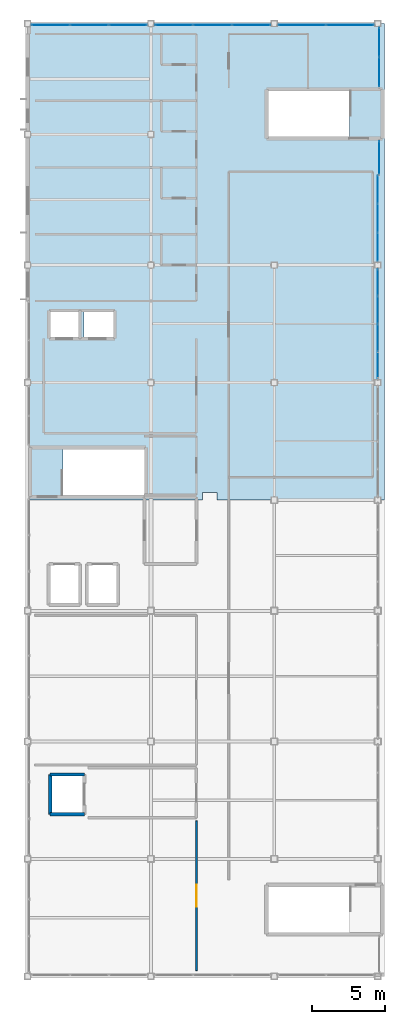
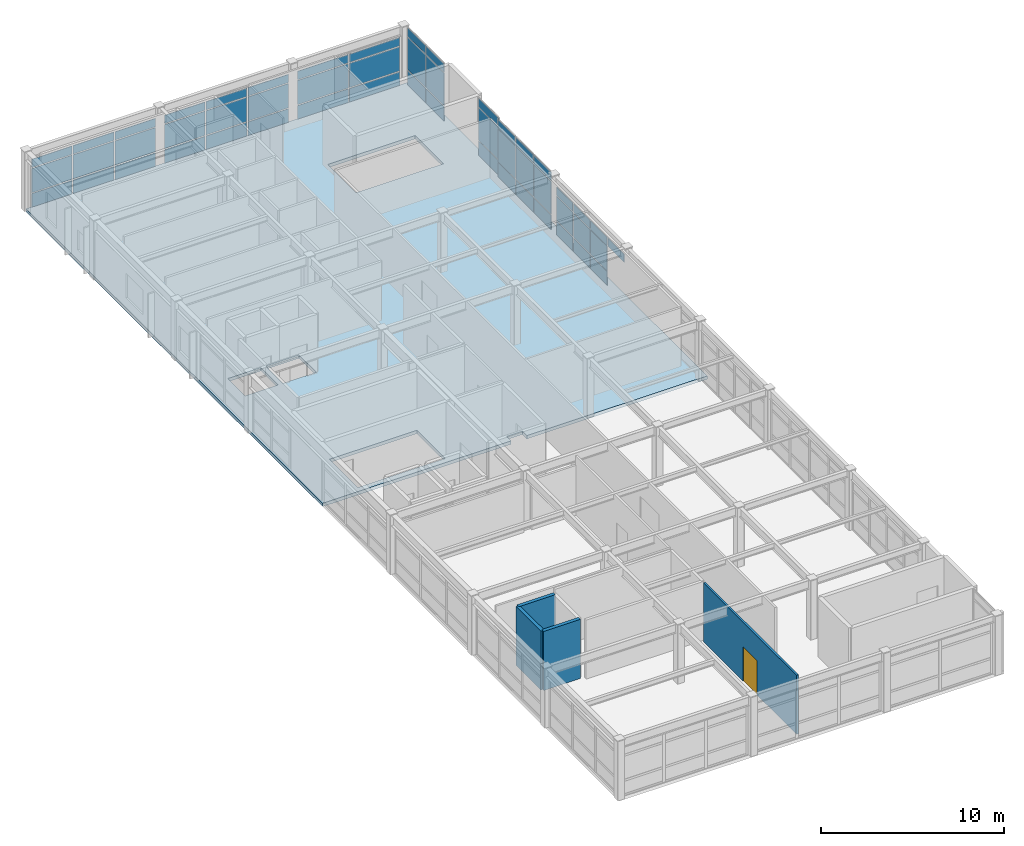
# One storey, part 30 of 34: 52 plates, 4 walls, 1 door, 1 slab, 1 opening, 7 elements without a shape of their own.
"""IFC4 building model written with IfcOpenShell, lengths in metres."""

from ifc_helpers import new_model, si_unit, direction, frame, frame_2d, origin, origin_2d, place, context, subcontext, project, spatial, polyline, rectangle, outline, extrude, material, layer, layer_set, type_object, element, fill, aggregate, save


model = new_model("IFC4")

# Units and contexts
model_context = context("Model", 3, precision=1e-05, world=origin(), true_north=direction((0.0, 1.0)))
body_context = subcontext(model_context, "Body", "Model", "MODEL_VIEW")
ifc_project = project(units=[si_unit("LENGTHUNIT", "METRE"), si_unit("AREAUNIT", "SQUARE_METRE"), si_unit("VOLUMEUNIT", "CUBIC_METRE"), si_unit("PLANEANGLEUNIT", "RADIAN"), si_unit("MASSUNIT", "GRAM", prefix="KILO")], contexts=[model_context])

# Site, building, storey
site_placement = place(None, origin())
site = spatial("IfcSite", under=ifc_project, at=site_placement, CompositionType="ELEMENT")
building_placement = place(site_placement, origin())
building = spatial("IfcBuilding", under=site, at=building_placement, Name="Kazehara Bluff Congress Hotel", CompositionType="ELEMENT")
storey_placement = place(building_placement, frame((0.0, 0.0, 46.199951171875)))
storey = spatial("IfcBuildingStorey", under=building, at=storey_placement, Name="L11", CompositionType="ELEMENT", Elevation=46.199951171875)

# Curtain wall, plates
ifc_material_1 = material(Name="Anodised aluminium", Category="aluminium")
ifc_layer_1 = layer(ifc_material_1, 0.159912109375)
ifc_layer_set_1 = layer_set([ifc_layer_1], Name="Anodised aluminium")
curtain_wall_type_1 = type_object("IfcCurtainWallType", Name="TP-CW-84", PredefinedType="NOTDEFINED", material=ifc_layer_set_1)
curtain_wall_1_placement = place(storey_placement, origin())
curtain_wall_1 = element("IfcCurtainWall", 1, at=curtain_wall_1_placement, inside=storey, type_object=curtain_wall_type_1, Name="L11 curtain wall CW-84 CW-V5-L11-X16755-5668", PredefinedType="NOTDEFINED")
ifc_material_2 = material(Name="Insulated low-E double glazing", Category="glass")
ifc_layer_2 = layer(ifc_material_2, 0.028076171875)
ifc_layer_set_2 = layer_set([ifc_layer_2], Name="Insulated low-E double glazing")
plate_type_1 = type_object("IfcPlateType", Name="TP-CWP-01", PredefinedType="CURTAIN_PANEL", material=ifc_layer_set_2)
plate_1_placement = place(storey_placement, frame((167.550048828125, 57.635009765625, 2.70751953125), z_axis=(0.0, 0.0, 1.0), x_axis=(0.0, 1.0, 0.0)))
plate_1 = element("IfcPlate", 2, at=plate_1_placement, type_object=plate_type_1, Name="CW-84 panel 1.3", PredefinedType="CURTAIN_PANEL", context=body_context, shape_type="SweptSolid", body=[
    extrude(rectangle(XDim=1.7900390625, YDim=0.028076171875, at=origin_2d()), origin(), (0.0, 0.0, 1.0), 0.552490234375),
])
plate_2_placement = place(storey_placement, frame((167.550048828125, 59.50634765625, 0.06494140625), z_axis=(0.0, 0.0, 1.0), x_axis=(0.0, 1.0, 0.0)))
plate_2 = element("IfcPlate", 3, at=plate_2_placement, type_object=plate_type_1, Name="CW-84 panel 2.1", PredefinedType="CURTAIN_PANEL", context=body_context, shape_type="SweptSolid", body=[
    extrude(rectangle(XDim=1.822509765625, YDim=0.028076171875, at=origin_2d()), origin(), (0.0, 0.0, 1.0), 0.902587890625),
])
plate_3_placement = place(storey_placement, frame((167.550048828125, 59.50634765625, 1.03271484375), z_axis=(0.0, 0.0, 1.0), x_axis=(0.0, 1.0, 0.0)))
plate_3 = element("IfcPlate", 4, at=plate_3_placement, type_object=plate_type_1, Name="CW-84 panel 2.2", PredefinedType="CURTAIN_PANEL", context=body_context, shape_type="SweptSolid", body=[
    extrude(rectangle(XDim=1.822509765625, YDim=0.028076171875, at=origin_2d()), origin(), (0.0, 0.0, 1.0), 1.610107421875),
])
plate_4_placement = place(storey_placement, frame((167.550048828125, 59.50634765625, 2.70751953125), z_axis=(0.0, 0.0, 1.0), x_axis=(0.0, 1.0, 0.0)))
plate_4 = element("IfcPlate", 5, at=plate_4_placement, type_object=plate_type_1, Name="CW-84 panel 2.3", PredefinedType="CURTAIN_PANEL", context=body_context, shape_type="SweptSolid", body=[
    extrude(rectangle(XDim=1.822509765625, YDim=0.028076171875, at=origin_2d()), origin(), (0.0, 0.0, 1.0), 0.552490234375),
])
plate_5_placement = place(storey_placement, frame((167.550048828125, 61.393798828125, 0.06494140625), z_axis=(0.0, 0.0, 1.0), x_axis=(0.0, 1.0, 0.0)))
plate_5 = element("IfcPlate", 6, at=plate_5_placement, type_object=plate_type_1, Name="CW-84 panel 3.1", PredefinedType="CURTAIN_PANEL", context=body_context, shape_type="SweptSolid", body=[
    extrude(rectangle(XDim=1.822509765625, YDim=0.028076171875, at=origin_2d()), origin(), (0.0, 0.0, 1.0), 0.902587890625),
])
plate_6_placement = place(storey_placement, frame((167.550048828125, 61.393798828125, 1.03271484375), z_axis=(0.0, 0.0, 1.0), x_axis=(0.0, 1.0, 0.0)))
plate_6 = element("IfcPlate", 7, at=plate_6_placement, type_object=plate_type_1, Name="CW-84 panel 3.2", PredefinedType="CURTAIN_PANEL", context=body_context, shape_type="SweptSolid", body=[
    extrude(rectangle(XDim=1.822509765625, YDim=0.028076171875, at=origin_2d()), origin(), (0.0, 0.0, 1.0), 1.610107421875),
])
plate_7_placement = place(storey_placement, frame((167.550048828125, 61.393798828125, 2.70751953125), z_axis=(0.0, 0.0, 1.0), x_axis=(0.0, 1.0, 0.0)))
plate_7 = element("IfcPlate", 8, at=plate_7_placement, type_object=plate_type_1, Name="CW-84 panel 3.3", PredefinedType="CURTAIN_PANEL", context=body_context, shape_type="SweptSolid", body=[
    extrude(rectangle(XDim=1.822509765625, YDim=0.028076171875, at=origin_2d()), origin(), (0.0, 0.0, 1.0), 0.552490234375),
])
plate_8_placement = place(storey_placement, frame((167.550048828125, 63.264892578125, 0.06494140625), z_axis=(0.0, 0.0, 1.0), x_axis=(0.0, 1.0, 0.0)))
plate_8 = element("IfcPlate", 9, at=plate_8_placement, type_object=plate_type_1, Name="CW-84 panel 4.1", PredefinedType="CURTAIN_PANEL", context=body_context, shape_type="SweptSolid", body=[
    extrude(rectangle(XDim=1.7900390625, YDim=0.028076171875, at=origin_2d()), origin(), (0.0, 0.0, 1.0), 0.902587890625),
])
plate_9_placement = place(storey_placement, frame((167.550048828125, 63.264892578125, 1.03271484375), z_axis=(0.0, 0.0, 1.0), x_axis=(0.0, 1.0, 0.0)))
plate_9 = element("IfcPlate", 10, at=plate_9_placement, type_object=plate_type_1, Name="CW-84 panel 4.2", PredefinedType="CURTAIN_PANEL", context=body_context, shape_type="SweptSolid", body=[
    extrude(rectangle(XDim=1.7900390625, YDim=0.028076171875, at=origin_2d()), origin(), (0.0, 0.0, 1.0), 1.610107421875),
])
plate_10_placement = place(storey_placement, frame((167.550048828125, 63.264892578125, 2.70751953125), z_axis=(0.0, 0.0, 1.0), x_axis=(0.0, 1.0, 0.0)))
plate_10 = element("IfcPlate", 11, at=plate_10_placement, type_object=plate_type_1, Name="CW-84 panel 4.3", PredefinedType="CURTAIN_PANEL", context=body_context, shape_type="SweptSolid", body=[
    extrude(rectangle(XDim=1.7900390625, YDim=0.028076171875, at=origin_2d()), origin(), (0.0, 0.0, 1.0), 0.552490234375),
])
aggregate(curtain_wall_1, [plate_1, plate_2, plate_3, plate_4, plate_5, plate_6, plate_7, plate_8, plate_9, plate_10])

ifc_material_3 = material(Name="Anodised aluminium", Category="aluminium")
ifc_layer_3 = layer(ifc_material_3, 0.159912109375)
ifc_layer_set_3 = layer_set([ifc_layer_3], Name="Anodised aluminium")
curtain_wall_type_2 = type_object("IfcCurtainWallType", Name="TP-CW-87", PredefinedType="NOTDEFINED", material=ifc_layer_set_3)
curtain_wall_2_placement = place(storey_placement, origin())
curtain_wall_2 = element("IfcCurtainWall", 12, at=curtain_wall_2_placement, inside=storey, type_object=curtain_wall_type_2, Name="L11 curtain wall CW-87 CW-V5-L11-X16755-6468", PredefinedType="NOTDEFINED")
plate_11_placement = place(storey_placement, frame((167.550048828125, 65.677490234375, 0.06005859375), z_axis=(0.0, 0.0, 1.0), x_axis=(0.0, 1.0, 0.0)))
plate_11 = element("IfcPlate", 13, at=plate_11_placement, type_object=plate_type_1, Name="CW-87 panel 1.1", PredefinedType="CURTAIN_PANEL", context=body_context, shape_type="SweptSolid", body=[
    extrude(rectangle(XDim=1.885009765625, YDim=0.028076171875, at=origin_2d()), origin(), (0.0, 0.0, 1.0), 0.9599609375),
])
plate_12_placement = place(storey_placement, frame((167.550048828125, 65.677490234375, 1.080078125), z_axis=(0.0, 0.0, 1.0), x_axis=(0.0, 1.0, 0.0)))
plate_12 = element("IfcPlate", 14, at=plate_12_placement, type_object=plate_type_1, Name="CW-87 panel 1.2", PredefinedType="CURTAIN_PANEL", context=body_context, shape_type="SweptSolid", body=[
    extrude(rectangle(XDim=1.885009765625, YDim=0.028076171875, at=origin_2d()), origin(), (0.0, 0.0, 1.0), 2.175048828125),
])
plate_13_placement = place(storey_placement, frame((167.550048828125, 65.677490234375, 3.31494140625), z_axis=(0.0, 0.0, 1.0), x_axis=(0.0, 1.0, 0.0)))
plate_13 = element("IfcPlate", 15, at=plate_13_placement, type_object=plate_type_1, Name="CW-87 panel 1.3", PredefinedType="CURTAIN_PANEL", context=body_context, shape_type="SweptSolid", body=[
    extrude(rectangle(XDim=1.885009765625, YDim=0.028076171875, at=origin_2d()), origin(), (0.0, 0.0, 1.0), 0.56005859375),
])
plate_14_placement = place(storey_placement, frame((167.550048828125, 67.637451171875, 0.06005859375), z_axis=(0.0, 0.0, 1.0), x_axis=(0.0, 1.0, 0.0)))
plate_14 = element("IfcPlate", 16, at=plate_14_placement, type_object=plate_type_1, Name="CW-87 panel 2.1", PredefinedType="CURTAIN_PANEL", context=body_context, shape_type="SweptSolid", body=[
    extrude(rectangle(XDim=1.9150390625, YDim=0.028076171875, at=origin_2d()), origin(), (0.0, 0.0, 1.0), 0.9599609375),
])
plate_15_placement = place(storey_placement, frame((167.550048828125, 67.637451171875, 1.080078125), z_axis=(0.0, 0.0, 1.0), x_axis=(0.0, 1.0, 0.0)))
plate_15 = element("IfcPlate", 17, at=plate_15_placement, type_object=plate_type_1, Name="CW-87 panel 2.2", PredefinedType="CURTAIN_PANEL", context=body_context, shape_type="SweptSolid", body=[
    extrude(rectangle(XDim=1.9150390625, YDim=0.028076171875, at=origin_2d()), origin(), (0.0, 0.0, 1.0), 2.175048828125),
])
plate_16_placement = place(storey_placement, frame((167.550048828125, 67.637451171875, 3.31494140625), z_axis=(0.0, 0.0, 1.0), x_axis=(0.0, 1.0, 0.0)))
plate_16 = element("IfcPlate", 18, at=plate_16_placement, type_object=plate_type_1, Name="CW-87 panel 2.3", PredefinedType="CURTAIN_PANEL", context=body_context, shape_type="SweptSolid", body=[
    extrude(rectangle(XDim=1.9150390625, YDim=0.028076171875, at=origin_2d()), origin(), (0.0, 0.0, 1.0), 0.56005859375),
])
plate_17_placement = place(storey_placement, frame((167.550048828125, 69.597412109375, 0.06005859375), z_axis=(0.0, 0.0, 1.0), x_axis=(0.0, 1.0, 0.0)))
plate_17 = element("IfcPlate", 19, at=plate_17_placement, type_object=plate_type_1, Name="CW-87 panel 3.1", PredefinedType="CURTAIN_PANEL", context=body_context, shape_type="SweptSolid", body=[
    extrude(rectangle(XDim=1.885009765625, YDim=0.028076171875, at=origin_2d()), origin(), (0.0, 0.0, 1.0), 0.9599609375),
])
plate_18_placement = place(storey_placement, frame((167.550048828125, 69.597412109375, 1.080078125), z_axis=(0.0, 0.0, 1.0), x_axis=(0.0, 1.0, 0.0)))
plate_18 = element("IfcPlate", 20, at=plate_18_placement, type_object=plate_type_1, Name="CW-87 panel 3.2", PredefinedType="CURTAIN_PANEL", context=body_context, shape_type="SweptSolid", body=[
    extrude(rectangle(XDim=1.885009765625, YDim=0.028076171875, at=origin_2d()), origin(), (0.0, 0.0, 1.0), 2.175048828125),
])
plate_19_placement = place(storey_placement, frame((167.550048828125, 69.597412109375, 3.31494140625), z_axis=(0.0, 0.0, 1.0), x_axis=(0.0, 1.0, 0.0)))
plate_19 = element("IfcPlate", 21, at=plate_19_placement, type_object=plate_type_1, Name="CW-87 panel 3.3", PredefinedType="CURTAIN_PANEL", context=body_context, shape_type="SweptSolid", body=[
    extrude(rectangle(XDim=1.885009765625, YDim=0.028076171875, at=origin_2d()), origin(), (0.0, 0.0, 1.0), 0.56005859375),
])
aggregate(curtain_wall_2, [plate_11, plate_12, plate_13, plate_14, plate_15, plate_16, plate_17, plate_18, plate_19])

ifc_material_4 = material(Name="Anodised aluminium", Category="aluminium")
ifc_layer_4 = layer(ifc_material_4, 0.159912109375)
ifc_layer_set_4 = layer_set([ifc_layer_4], Name="Anodised aluminium")
curtain_wall_type_3 = type_object("IfcCurtainWallType", Name="TP-CW-206", PredefinedType="NOTDEFINED", material=ifc_layer_set_4)
curtain_wall_3_placement = place(storey_placement, origin())
curtain_wall_3 = element("IfcCurtainWall", 22, at=curtain_wall_3_placement, inside=storey, type_object=curtain_wall_type_3, Name="L11 curtain wall CW-206 CW-ENC-V5-L11-14790-8080", PredefinedType="NOTDEFINED")
plate_20_placement = place(storey_placement, frame((145.266357421875, 80.800048828125, 0.06494140625), z_axis=(0.0, 0.0, 1.0), x_axis=(1.0, 0.0, 0.0)))
plate_20 = element("IfcPlate", 23, at=plate_20_placement, type_object=plate_type_1, Name="CW-206 panel 1.1", PredefinedType="CURTAIN_PANEL", context=body_context, shape_type="SweptSolid", body=[
    extrude(rectangle(XDim=2.552490234375, YDim=0.028076171875, at=origin_2d()), origin(), (0.0, 0.0, 1.0), 0.902587890625),
])
plate_21_placement = place(storey_placement, frame((145.266357421875, 80.800048828125, 1.03271484375), z_axis=(0.0, 0.0, 1.0), x_axis=(1.0, 0.0, 0.0)))
plate_21 = element("IfcPlate", 24, at=plate_21_placement, type_object=plate_type_1, Name="CW-206 panel 1.2", PredefinedType="CURTAIN_PANEL", context=body_context, shape_type="SweptSolid", body=[
    extrude(rectangle(XDim=2.552490234375, YDim=0.028076171875, at=origin_2d()), origin(), (0.0, 0.0, 1.0), 1.610107421875),
])
plate_22_placement = place(storey_placement, frame((145.266357421875, 80.800048828125, 2.70751953125), z_axis=(0.0, 0.0, 1.0), x_axis=(1.0, 0.0, 0.0)))
plate_22 = element("IfcPlate", 25, at=plate_22_placement, type_object=plate_type_1, Name="CW-206 panel 1.3", PredefinedType="CURTAIN_PANEL", context=body_context, shape_type="SweptSolid", body=[
    extrude(rectangle(XDim=2.552490234375, YDim=0.028076171875, at=origin_2d()), origin(), (0.0, 0.0, 1.0), 0.552490234375),
])
plate_23_placement = place(storey_placement, frame((147.89990234375, 80.800048828125, 0.06494140625), z_axis=(0.0, 0.0, 1.0), x_axis=(1.0, 0.0, 0.0)))
plate_23 = element("IfcPlate", 26, at=plate_23_placement, type_object=plate_type_1, Name="CW-206 panel 2.1", PredefinedType="CURTAIN_PANEL", context=body_context, shape_type="SweptSolid", body=[
    extrude(rectangle(XDim=2.5849609375, YDim=0.028076171875, at=origin_2d()), origin(), (0.0, 0.0, 1.0), 0.902587890625),
])
plate_24_placement = place(storey_placement, frame((147.89990234375, 80.800048828125, 1.03271484375), z_axis=(0.0, 0.0, 1.0), x_axis=(1.0, 0.0, 0.0)))
plate_24 = element("IfcPlate", 27, at=plate_24_placement, type_object=plate_type_1, Name="CW-206 panel 2.2", PredefinedType="CURTAIN_PANEL", context=body_context, shape_type="SweptSolid", body=[
    extrude(rectangle(XDim=2.5849609375, YDim=0.028076171875, at=origin_2d()), origin(), (0.0, 0.0, 1.0), 1.610107421875),
])
plate_25_placement = place(storey_placement, frame((147.89990234375, 80.800048828125, 2.70751953125), z_axis=(0.0, 0.0, 1.0), x_axis=(1.0, 0.0, 0.0)))
plate_25 = element("IfcPlate", 28, at=plate_25_placement, type_object=plate_type_1, Name="CW-206 panel 2.3", PredefinedType="CURTAIN_PANEL", context=body_context, shape_type="SweptSolid", body=[
    extrude(rectangle(XDim=2.5849609375, YDim=0.028076171875, at=origin_2d()), origin(), (0.0, 0.0, 1.0), 0.552490234375),
])
plate_26_placement = place(storey_placement, frame((150.53369140625, 80.800048828125, 0.06494140625), z_axis=(0.0, 0.0, 1.0), x_axis=(1.0, 0.0, 0.0)))
plate_26 = element("IfcPlate", 29, at=plate_26_placement, type_object=plate_type_1, Name="CW-206 panel 3.1", PredefinedType="CURTAIN_PANEL", context=body_context, shape_type="SweptSolid", body=[
    extrude(rectangle(XDim=2.552490234375, YDim=0.028076171875, at=origin_2d()), origin(), (0.0, 0.0, 1.0), 0.902587890625),
])
plate_27_placement = place(storey_placement, frame((150.53369140625, 80.800048828125, 1.03271484375), z_axis=(0.0, 0.0, 1.0), x_axis=(1.0, 0.0, 0.0)))
plate_27 = element("IfcPlate", 30, at=plate_27_placement, type_object=plate_type_1, Name="CW-206 panel 3.2", PredefinedType="CURTAIN_PANEL", context=body_context, shape_type="SweptSolid", body=[
    extrude(rectangle(XDim=2.552490234375, YDim=0.028076171875, at=origin_2d()), origin(), (0.0, 0.0, 1.0), 1.610107421875),
])
plate_28_placement = place(storey_placement, frame((150.53369140625, 80.800048828125, 2.70751953125), z_axis=(0.0, 0.0, 1.0), x_axis=(1.0, 0.0, 0.0)))
plate_28 = element("IfcPlate", 31, at=plate_28_placement, type_object=plate_type_1, Name="CW-206 panel 3.3", PredefinedType="CURTAIN_PANEL", context=body_context, shape_type="SweptSolid", body=[
    extrude(rectangle(XDim=2.552490234375, YDim=0.028076171875, at=origin_2d()), origin(), (0.0, 0.0, 1.0), 0.552490234375),
])
aggregate(curtain_wall_3, [plate_20, plate_21, plate_22, plate_23, plate_24, plate_25, plate_26, plate_27, plate_28])

curtain_wall_4_placement = place(storey_placement, origin())
curtain_wall_4 = element("IfcCurtainWall", 32, at=curtain_wall_4_placement, inside=storey, type_object=curtain_wall_type_3, Name="L11 curtain wall CW-206 CW-ENC-V5-L11-15630-8080", PredefinedType="NOTDEFINED")
plate_29_placement = place(storey_placement, frame((153.666259765625, 80.800048828125, 0.06494140625), z_axis=(0.0, 0.0, 1.0), x_axis=(1.0, 0.0, 0.0)))
plate_29 = element("IfcPlate", 33, at=plate_29_placement, type_object=plate_type_1, Name="CW-206 panel 1.1", PredefinedType="CURTAIN_PANEL", context=body_context, shape_type="SweptSolid", body=[
    extrude(rectangle(XDim=2.552490234375, YDim=0.028076171875, at=origin_2d()), origin(), (0.0, 0.0, 1.0), 0.902587890625),
])
plate_30_placement = place(storey_placement, frame((153.666259765625, 80.800048828125, 1.03271484375), z_axis=(0.0, 0.0, 1.0), x_axis=(1.0, 0.0, 0.0)))
plate_30 = element("IfcPlate", 34, at=plate_30_placement, type_object=plate_type_1, Name="CW-206 panel 1.2", PredefinedType="CURTAIN_PANEL", context=body_context, shape_type="SweptSolid", body=[
    extrude(rectangle(XDim=2.552490234375, YDim=0.028076171875, at=origin_2d()), origin(), (0.0, 0.0, 1.0), 1.610107421875),
])
plate_31_placement = place(storey_placement, frame((153.666259765625, 80.800048828125, 2.70751953125), z_axis=(0.0, 0.0, 1.0), x_axis=(1.0, 0.0, 0.0)))
plate_31 = element("IfcPlate", 35, at=plate_31_placement, type_object=plate_type_1, Name="CW-206 panel 1.3", PredefinedType="CURTAIN_PANEL", context=body_context, shape_type="SweptSolid", body=[
    extrude(rectangle(XDim=2.552490234375, YDim=0.028076171875, at=origin_2d()), origin(), (0.0, 0.0, 1.0), 0.552490234375),
])
plate_32_placement = place(storey_placement, frame((156.300048828125, 80.800048828125, 0.06494140625), z_axis=(0.0, 0.0, 1.0), x_axis=(1.0, 0.0, 0.0)))
plate_32 = element("IfcPlate", 36, at=plate_32_placement, type_object=plate_type_1, Name="CW-206 panel 2.1", PredefinedType="CURTAIN_PANEL", context=body_context, shape_type="SweptSolid", body=[
    extrude(rectangle(XDim=2.5849609375, YDim=0.028076171875, at=origin_2d()), origin(), (0.0, 0.0, 1.0), 0.902587890625),
])
plate_33_placement = place(storey_placement, frame((156.300048828125, 80.800048828125, 1.03271484375), z_axis=(0.0, 0.0, 1.0), x_axis=(1.0, 0.0, 0.0)))
plate_33 = element("IfcPlate", 37, at=plate_33_placement, type_object=plate_type_1, Name="CW-206 panel 2.2", PredefinedType="CURTAIN_PANEL", context=body_context, shape_type="SweptSolid", body=[
    extrude(rectangle(XDim=2.5849609375, YDim=0.028076171875, at=origin_2d()), origin(), (0.0, 0.0, 1.0), 1.610107421875),
])
plate_34_placement = place(storey_placement, frame((156.300048828125, 80.800048828125, 2.70751953125), z_axis=(0.0, 0.0, 1.0), x_axis=(1.0, 0.0, 0.0)))
plate_34 = element("IfcPlate", 38, at=plate_34_placement, type_object=plate_type_1, Name="CW-206 panel 2.3", PredefinedType="CURTAIN_PANEL", context=body_context, shape_type="SweptSolid", body=[
    extrude(rectangle(XDim=2.5849609375, YDim=0.028076171875, at=origin_2d()), origin(), (0.0, 0.0, 1.0), 0.552490234375),
])
plate_35_placement = place(storey_placement, frame((158.933837890625, 80.800048828125, 0.06494140625), z_axis=(0.0, 0.0, 1.0), x_axis=(1.0, 0.0, 0.0)))
plate_35 = element("IfcPlate", 39, at=plate_35_placement, type_object=plate_type_1, Name="CW-206 panel 3.1", PredefinedType="CURTAIN_PANEL", context=body_context, shape_type="SweptSolid", body=[
    extrude(rectangle(XDim=2.552490234375, YDim=0.028076171875, at=origin_2d()), origin(), (0.0, 0.0, 1.0), 0.902587890625),
])
plate_36_placement = place(storey_placement, frame((158.933837890625, 80.800048828125, 1.03271484375), z_axis=(0.0, 0.0, 1.0), x_axis=(1.0, 0.0, 0.0)))
plate_36 = element("IfcPlate", 40, at=plate_36_placement, type_object=plate_type_1, Name="CW-206 panel 3.2", PredefinedType="CURTAIN_PANEL", context=body_context, shape_type="SweptSolid", body=[
    extrude(rectangle(XDim=2.552490234375, YDim=0.028076171875, at=origin_2d()), origin(), (0.0, 0.0, 1.0), 1.610107421875),
])
plate_37_placement = place(storey_placement, frame((158.933837890625, 80.800048828125, 2.70751953125), z_axis=(0.0, 0.0, 1.0), x_axis=(1.0, 0.0, 0.0)))
plate_37 = element("IfcPlate", 41, at=plate_37_placement, type_object=plate_type_1, Name="CW-206 panel 3.3", PredefinedType="CURTAIN_PANEL", context=body_context, shape_type="SweptSolid", body=[
    extrude(rectangle(XDim=2.552490234375, YDim=0.028076171875, at=origin_2d()), origin(), (0.0, 0.0, 1.0), 0.552490234375),
])
aggregate(curtain_wall_4, [plate_29, plate_30, plate_31, plate_32, plate_33, plate_34, plate_35, plate_36, plate_37])

ifc_material_5 = material(Name="Anodised aluminium", Category="aluminium")
ifc_layer_5 = layer(ifc_material_5, 0.159912109375)
ifc_layer_set_5 = layer_set([ifc_layer_5], Name="Anodised aluminium")
curtain_wall_type_4 = type_object("IfcCurtainWallType", Name="TP-CW-211", PredefinedType="NOTDEFINED", material=ifc_layer_set_5)
curtain_wall_5_placement = place(storey_placement, origin())
curtain_wall_5 = element("IfcCurtainWall", 42, at=curtain_wall_5_placement, inside=storey, type_object=curtain_wall_type_4, Name="L11 curtain wall CW-211 CW-ENC-V5-L11-16402-8080", PredefinedType="NOTDEFINED")
plate_38_placement = place(storey_placement, frame((162.391357421875, 80.800048828125, 0.06494140625), z_axis=(0.0, 0.0, 1.0), x_axis=(1.0, 0.0, 0.0)))
plate_38 = element("IfcPlate", 43, at=plate_38_placement, type_object=plate_type_1, Name="CW-211 panel 1.1", PredefinedType="CURTAIN_PANEL", context=body_context, shape_type="SweptSolid", body=[
    extrude(rectangle(XDim=3.202392578125, YDim=0.028076171875, at=origin_2d()), origin(), (0.0, 0.0, 1.0), 0.902587890625),
])
plate_39_placement = place(storey_placement, frame((162.391357421875, 80.800048828125, 1.03271484375), z_axis=(0.0, 0.0, 1.0), x_axis=(1.0, 0.0, 0.0)))
plate_39 = element("IfcPlate", 44, at=plate_39_placement, type_object=plate_type_1, Name="CW-211 panel 1.2", PredefinedType="CURTAIN_PANEL", context=body_context, shape_type="SweptSolid", body=[
    extrude(rectangle(XDim=3.202392578125, YDim=0.028076171875, at=origin_2d()), origin(), (0.0, 0.0, 1.0), 1.610107421875),
])
plate_40_placement = place(storey_placement, frame((162.391357421875, 80.800048828125, 2.70751953125), z_axis=(0.0, 0.0, 1.0), x_axis=(1.0, 0.0, 0.0)))
plate_40 = element("IfcPlate", 45, at=plate_40_placement, type_object=plate_type_1, Name="CW-211 panel 1.3", PredefinedType="CURTAIN_PANEL", context=body_context, shape_type="SweptSolid", body=[
    extrude(rectangle(XDim=3.202392578125, YDim=0.028076171875, at=origin_2d()), origin(), (0.0, 0.0, 1.0), 0.552490234375),
])
plate_41_placement = place(storey_placement, frame((165.65869140625, 80.800048828125, 0.06494140625), z_axis=(0.0, 0.0, 1.0), x_axis=(1.0, 0.0, 0.0)))
plate_41 = element("IfcPlate", 46, at=plate_41_placement, type_object=plate_type_1, Name="CW-211 panel 2.1", PredefinedType="CURTAIN_PANEL", context=body_context, shape_type="SweptSolid", body=[
    extrude(rectangle(XDim=3.202392578125, YDim=0.028076171875, at=origin_2d()), origin(), (0.0, 0.0, 1.0), 0.902587890625),
])
plate_42_placement = place(storey_placement, frame((165.65869140625, 80.800048828125, 1.03271484375), z_axis=(0.0, 0.0, 1.0), x_axis=(1.0, 0.0, 0.0)))
plate_42 = element("IfcPlate", 47, at=plate_42_placement, type_object=plate_type_1, Name="CW-211 panel 2.2", PredefinedType="CURTAIN_PANEL", context=body_context, shape_type="SweptSolid", body=[
    extrude(rectangle(XDim=3.202392578125, YDim=0.028076171875, at=origin_2d()), origin(), (0.0, 0.0, 1.0), 1.610107421875),
])
plate_43_placement = place(storey_placement, frame((165.65869140625, 80.800048828125, 2.70751953125), z_axis=(0.0, 0.0, 1.0), x_axis=(1.0, 0.0, 0.0)))
plate_43 = element("IfcPlate", 48, at=plate_43_placement, type_object=plate_type_1, Name="CW-211 panel 2.3", PredefinedType="CURTAIN_PANEL", context=body_context, shape_type="SweptSolid", body=[
    extrude(rectangle(XDim=3.202392578125, YDim=0.028076171875, at=origin_2d()), origin(), (0.0, 0.0, 1.0), 0.552490234375),
])
aggregate(curtain_wall_5, [plate_38, plate_39, plate_40, plate_41, plate_42, plate_43])

ifc_material_6 = material(Name="Anodised aluminium", Category="aluminium")
ifc_layer_6 = layer(ifc_material_6, 0.159912109375)
ifc_layer_set_6 = layer_set([ifc_layer_6], Name="Anodised aluminium")
curtain_wall_type_5 = type_object("IfcCurtainWallType", Name="TP-CW-209", PredefinedType="NOTDEFINED", material=ifc_layer_set_6)
curtain_wall_6_placement = place(storey_placement, origin())
curtain_wall_6 = element("IfcCurtainWall", 49, at=curtain_wall_6_placement, inside=storey, type_object=curtain_wall_type_5, Name="L11 curtain wall CW-209 CW-ENC-V5-L11-16765-7177", PredefinedType="NOTDEFINED")
ifc_material_7 = material(Name="Insulated low-E double glazing", Category="glass")
ifc_layer_7 = layer(ifc_material_7, 0.02001953125)
ifc_layer_set_7 = layer_set([ifc_layer_7], Name="Insulated low-E double glazing")
plate_type_2 = type_object("IfcPlateType", Name="TP-CWP-03", PredefinedType="CURTAIN_PANEL", material=ifc_layer_set_7)
plate_44_placement = place(storey_placement, frame((167.64990234375, 71.77001953125, 0.06005859375), z_axis=(0.0, 0.0, 1.0), x_axis=(0.0, -1.0, 0.0)))
plate_44 = element("IfcPlate", 50, at=plate_44_placement, type_object=plate_type_2, Name="CW-209 panel 1.1", PredefinedType="CURTAIN_PANEL", context=body_context, shape_type="SweptSolid", body=[
    extrude(rectangle(XDim=2.219970703125, YDim=0.02001953125, at=origin_2d()), origin(), (0.0, 0.0, 1.0), 0.9599609375),
])
plate_45_placement = place(storey_placement, frame((167.64990234375, 71.77001953125, 1.080078125), z_axis=(0.0, 0.0, 1.0), x_axis=(0.0, -1.0, 0.0)))
plate_45 = element("IfcPlate", 51, at=plate_45_placement, type_object=plate_type_2, Name="CW-209 panel 1.2", PredefinedType="CURTAIN_PANEL", context=body_context, shape_type="SweptSolid", body=[
    extrude(rectangle(XDim=2.219970703125, YDim=0.02001953125, at=origin_2d()), origin(), (0.0, 0.0, 1.0), 2.175048828125),
])
plate_46_placement = place(storey_placement, frame((167.64990234375, 71.77001953125, 3.31494140625), z_axis=(0.0, 0.0, 1.0), x_axis=(0.0, -1.0, 0.0)))
plate_46 = element("IfcPlate", 52, at=plate_46_placement, type_object=plate_type_2, Name="CW-209 panel 1.3", PredefinedType="CURTAIN_PANEL", context=body_context, shape_type="SweptSolid", body=[
    extrude(rectangle(XDim=2.219970703125, YDim=0.02001953125, at=origin_2d()), origin(), (0.0, 0.0, 1.0), 0.56005859375),
])
aggregate(curtain_wall_6, [plate_44, plate_45, plate_46])

ifc_material_8 = material(Name="Anodised aluminium", Category="aluminium")
ifc_layer_8 = layer(ifc_material_8, 0.159912109375)
ifc_layer_set_8 = layer_set([ifc_layer_8], Name="Anodised aluminium")
curtain_wall_type_6 = type_object("IfcCurtainWallType", Name="TP-CW-210", PredefinedType="NOTDEFINED", material=ifc_layer_set_8)
curtain_wall_7_placement = place(storey_placement, origin())
curtain_wall_7 = element("IfcCurtainWall", 53, at=curtain_wall_7_placement, inside=storey, type_object=curtain_wall_type_6, Name="L11 curtain wall CW-210 CW-ENC-V5-L11-16765-7862", PredefinedType="NOTDEFINED")
plate_47_placement = place(storey_placement, frame((167.64990234375, 79.63134765625, 0.06005859375), z_axis=(0.0, 0.0, 1.0), x_axis=(0.0, -1.0, 0.0)))
plate_47 = element("IfcPlate", 54, at=plate_47_placement, type_object=plate_type_2, Name="CW-210 panel 1.1", PredefinedType="CURTAIN_PANEL", context=body_context, shape_type="SweptSolid", body=[
    extrude(rectangle(XDim=1.967529296875, YDim=0.02001953125, at=origin_2d()), origin(), (0.0, 0.0, 1.0), 0.9599609375),
])
plate_48_placement = place(storey_placement, frame((167.64990234375, 79.63134765625, 1.080078125), z_axis=(0.0, 0.0, 1.0), x_axis=(0.0, -1.0, 0.0)))
plate_48 = element("IfcPlate", 55, at=plate_48_placement, type_object=plate_type_2, Name="CW-210 panel 1.2", PredefinedType="CURTAIN_PANEL", context=body_context, shape_type="SweptSolid", body=[
    extrude(rectangle(XDim=1.967529296875, YDim=0.02001953125, at=origin_2d()), origin(), (0.0, 0.0, 1.0), 2.175048828125),
])
plate_49_placement = place(storey_placement, frame((167.64990234375, 79.63134765625, 3.31494140625), z_axis=(0.0, 0.0, 1.0), x_axis=(0.0, -1.0, 0.0)))
plate_49 = element("IfcPlate", 56, at=plate_49_placement, type_object=plate_type_2, Name="CW-210 panel 1.3", PredefinedType="CURTAIN_PANEL", context=body_context, shape_type="SweptSolid", body=[
    extrude(rectangle(XDim=1.967529296875, YDim=0.02001953125, at=origin_2d()), origin(), (0.0, 0.0, 1.0), 0.56005859375),
])
plate_50_placement = place(storey_placement, frame((167.64990234375, 77.603759765625, 0.06005859375), z_axis=(0.0, 0.0, 1.0), x_axis=(0.0, -1.0, 0.0)))
plate_50 = element("IfcPlate", 57, at=plate_50_placement, type_object=plate_type_2, Name="CW-210 panel 2.1", PredefinedType="CURTAIN_PANEL", context=body_context, shape_type="SweptSolid", body=[
    extrude(rectangle(XDim=1.967529296875, YDim=0.02001953125, at=origin_2d()), origin(), (0.0, 0.0, 1.0), 0.9599609375),
])
plate_51_placement = place(storey_placement, frame((167.64990234375, 77.603759765625, 1.080078125), z_axis=(0.0, 0.0, 1.0), x_axis=(0.0, -1.0, 0.0)))
plate_51 = element("IfcPlate", 58, at=plate_51_placement, type_object=plate_type_2, Name="CW-210 panel 2.2", PredefinedType="CURTAIN_PANEL", context=body_context, shape_type="SweptSolid", body=[
    extrude(rectangle(XDim=1.967529296875, YDim=0.02001953125, at=origin_2d()), origin(), (0.0, 0.0, 1.0), 2.175048828125),
])
plate_52_placement = place(storey_placement, frame((167.64990234375, 77.603759765625, 3.31494140625), z_axis=(0.0, 0.0, 1.0), x_axis=(0.0, -1.0, 0.0)))
plate_52 = element("IfcPlate", 59, at=plate_52_placement, type_object=plate_type_2, Name="CW-210 panel 2.3", PredefinedType="CURTAIN_PANEL", context=body_context, shape_type="SweptSolid", body=[
    extrude(rectangle(XDim=1.967529296875, YDim=0.02001953125, at=origin_2d()), origin(), (0.0, 0.0, 1.0), 0.56005859375),
])
aggregate(curtain_wall_7, [plate_47, plate_48, plate_49, plate_50, plate_51, plate_52])

# Slab
ifc_material_9 = material(Name="Concrete C36/45", Category="concrete")
ifc_layer_9 = layer(ifc_material_9, 0.219970703125)
ifc_layer_set_9 = layer_set([ifc_layer_9], Name="Concrete C36/45")
slab_type = type_object("IfcSlabType", Name="TP-SL-220", PredefinedType="FLOOR", material=ifc_layer_set_9)
slab_placement = place(storey_placement, frame((0.0, 0.0, -0.219970703125)))
element("IfcSlab", 60, at=slab_placement, inside=storey, type_object=slab_type, Name="L11 V5 composite floor slab N", PredefinedType="FLOOR", context=body_context, shape_type="SweptSolid", body=[
    extrude(outline(polyline([(168.0, 80.89990234375), (168.0, 48.449951171875), (156.60009765625, 48.449951171875), (156.60009765625, 48.949951171875), (155.60009765625, 48.949951171875), (155.60009765625, 48.449951171875), (143.699951171875, 48.449951171875), (143.699951171875, 80.89990234375), (168.0, 80.89990234375)]), holes=[polyline([(146.125, 48.800048828125), (151.64990234375, 48.800048828125), (151.64990234375, 51.89990234375), (146.125, 51.89990234375), (146.125, 48.800048828125)]), polyline([(165.625, 76.300048828125), (160.10009765625, 76.300048828125), (160.10009765625, 73.199951171875), (165.625, 73.199951171875), (165.625, 76.300048828125)]), polyline([(145.14990234375, 59.449951171875), (147.25, 59.449951171875), (147.25, 61.35009765625), (145.14990234375, 61.35009765625), (145.14990234375, 59.449951171875)]), polyline([(147.550048828125, 59.449951171875), (149.64990234375, 59.449951171875), (149.64990234375, 61.35009765625), (147.550048828125, 61.35009765625), (147.550048828125, 59.449951171875)])]), origin(), (0.0, 0.0, 1.0), 0.219970703125),
])

# Wall, opening, door
ifc_material_10 = material(Name="Fire-rated gypsum board stud partition")
ifc_layer_10 = layer(ifc_material_10, 0.1298828125)
ifc_layer_set_10 = layer_set([ifc_layer_10], Name="Fire-rated gypsum board stud partition")
wall_type_1 = type_object("IfcWallType", Name="TP-PT-130", PredefinedType="PARTITIONING", material=ifc_layer_set_10)
wall_1_placement = place(storey_placement, frame((155.199951171875, 16.39990234375, 0.0), z_axis=(0.0, 0.0, 1.0), x_axis=(0.0, 1.0, 0.0)))
wall_1 = element("IfcWall", 61, at=wall_1_placement, inside=storey, type_object=wall_type_1, Name="L11 partition PT-130 1444", PredefinedType="PARTITIONING", context=body_context, shape_type="SweptSolid", body=[
    extrude(rectangle(XDim=10.2001953125, YDim=0.1298828125, at=frame_2d((5.10009765625, 0.0))), origin(), (0.0, 0.0, 1.0), 3.93505859375),
])
opening_placement = place(wall_1_placement, frame((4.35009765625, 0.0, 0.0)))
opening = element("IfcOpeningElement", 62, at=opening_placement, cuts=wall_1, Name="Opening AD-01", PredefinedType="OPENING", context=body_context, shape_type="SweptSolid", body=[
    extrude(rectangle(XDim=1.5, YDim=2.300048828125, at=frame_2d((0.75, 1.14990234375))), frame((0.0, 0.074951171875, 0.0), z_axis=(0.0, -1.0, 0.0), x_axis=(1.0, 0.0, 0.0)), (0.0, 0.0, 1.0), 0.14990234375),
])
ifc_material_11 = material(Name="Architectural oak veneer leaf")
door_type = type_object("IfcDoorType", Name="TP-AD-01", OperationType="DOUBLE_DOOR_SINGLE_SWING", PredefinedType="DOOR", material=ifc_material_11)
door_placement = place(opening_placement, origin())
door = element("IfcDoor", 63, at=door_placement, inside=storey, type_object=door_type, Name="L11 Imperial Banquet Salon door", OperationType="DOUBLE_DOOR_SINGLE_SWING", OverallHeight=2.300048828125, OverallWidth=1.5, PredefinedType="DOOR", context=body_context, shape_type="SweptSolid", body=[
    extrude(rectangle(XDim=1.5, YDim=2.300048828125, at=frame_2d((0.75, 1.14990234375))), frame((0.0, 0.02490234375, 0.0), z_axis=(0.0, -1.0, 0.0), x_axis=(1.0, 0.0, 0.0)), (0.0, 0.0, 1.0), 0.050048828125),
])
fill(opening, door)

# Walls
ifc_material_12 = material(Name="Concrete C40/50", Category="concrete")
ifc_layer_11 = layer(ifc_material_12, 0.219970703125)
ifc_layer_set_11 = layer_set([ifc_layer_11], Name="Concrete C40/50")
wall_type_2 = type_object("IfcWallType", Name="TP-SW-RC", PredefinedType="SHEAR", material=ifc_layer_set_11)
for number, where, z_axis, x_axis, name in (
    (64, (145.239990234375, 29.760009765625, 0.0), (0.0, 0.0, 1.0), (1.0, 0.0, 0.0), "L11 EL-S3 lift shaft wall +Y"),
    (65, (145.239990234375, 27.0400390625, 0.0), (0.0, 0.0, 1.0), (1.0, 0.0, 0.0), "L11 EL-S3 lift shaft wall -Y"),
):
    element("IfcWall", number, at=place(storey_placement, frame(where, z_axis=z_axis, x_axis=x_axis)), inside=storey, type_object=wall_type_2, Name=name, PredefinedType="SHEAR", context=body_context, shape_type="SweptSolid", body=[
        extrude(rectangle(XDim=2.320068359375, YDim=0.219970703125, at=frame_2d((1.16015625, 0.0))), origin(), (0.0, 0.0, 1.0), 3.949951171875),
    ])
wall_2_placement = place(storey_placement, frame((145.239990234375, 27.0400390625, 0.0), z_axis=(0.0, 0.0, 1.0), x_axis=(0.0, 1.0, 0.0)))
element("IfcWall", 66, at=wall_2_placement, inside=storey, type_object=wall_type_2, Name="L11 EL-S3 lift shaft wall -X", PredefinedType="SHEAR", context=body_context, shape_type="SweptSolid", body=[
    extrude(rectangle(XDim=2.719970703125, YDim=0.219970703125, at=frame_2d((1.35986328125, 0.0))), origin(), (0.0, 0.0, 1.0), 3.949951171875),
])

save(model, "model.ifc")
